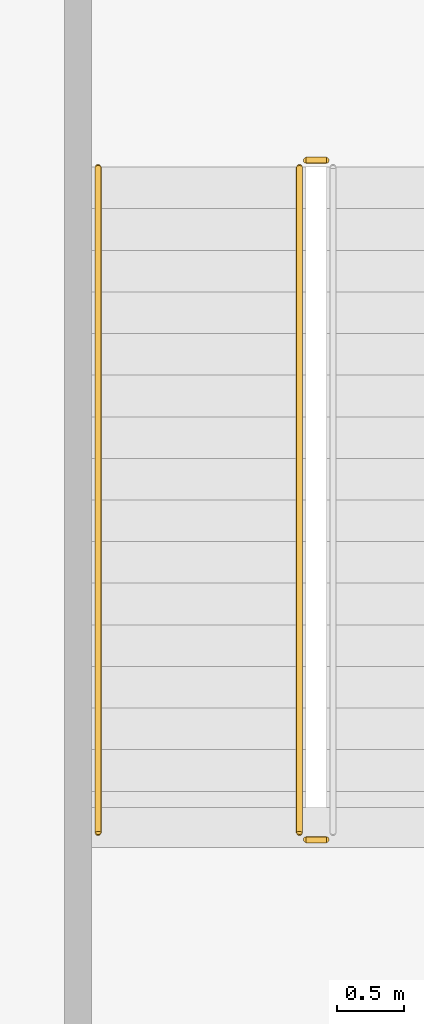
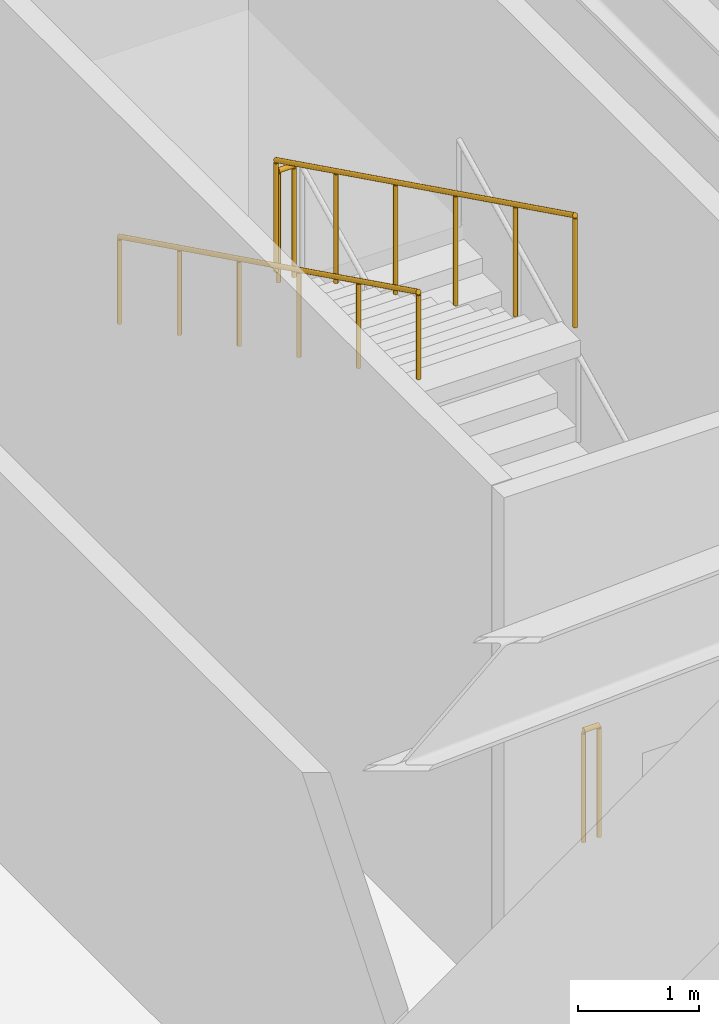
# One storey, part 5 of 9: 4 railings.
"""IFC4 building model written with IfcOpenShell, lengths in metres."""

from ifc_helpers import new_model, si_unit, direction, frame, origin, origin_2d, place, context, subcontext, project, spatial, circle, extrude, material, type_object, element, save


model = new_model("IFC4")

# Units and contexts
model_context = context("Model", 3, precision=1e-05, world=origin(), true_north=direction((0.0, 1.0)))
body_context = subcontext(model_context, "Body", "Model", "MODEL_VIEW")
ifc_project = project(units=[si_unit("LENGTHUNIT", "METRE"), si_unit("AREAUNIT", "SQUARE_METRE"), si_unit("VOLUMEUNIT", "CUBIC_METRE"), si_unit("PLANEANGLEUNIT", "RADIAN"), si_unit("MASSUNIT", "GRAM", prefix="KILO")], contexts=[model_context])

# Site, building, storey
site_placement = place(None, origin())
site = spatial("IfcSite", under=ifc_project, at=site_placement, CompositionType="ELEMENT")
building_placement = place(site_placement, origin())
building = spatial("IfcBuilding", under=site, at=building_placement, Name="Vaeldorn Concourse Tower", CompositionType="ELEMENT")
storey_placement = place(building_placement, frame((0.0, 0.0, -5.199951171875)))
storey = spatial("IfcBuildingStorey", under=building, at=storey_placement, Name="B01", CompositionType="ELEMENT", Elevation=-5.199951171875)

# Railings
ifc_material = material(Name="Anodised Bronze Aluminium", Category="aluminium")
railing_type_1 = type_object("IfcRailingType", Name="RL-STAIR-GUARD", PredefinedType="GUARDRAIL", material=ifc_material)
railing_1_placement = place(storey_placement, frame((64.0, 9.860107421875, 2.599853515625)))
element("IfcRailing", 1, at=railing_1_placement, inside=storey, type_object=railing_type_1, Name="B01 ST-5 stair guard 2", PredefinedType="GUARDRAIL", context=body_context, shape_type="SweptSolid", body=[
    extrude(circle(Radius=0.02392578125, at=origin_2d()), frame((0.0, 0.0, 1.1259765625), z_axis=(-1.0, 0.0, 0.0), x_axis=(0.0, -1.0, 0.0)), (0.0, 0.0, 1.0), 0.14990234375),
    extrude(circle(Radius=0.02099609375, at=origin_2d()), origin(), (0.0, 0.0, 1.0), 1.101806640625),
    extrude(circle(Radius=0.02099609375, at=origin_2d()), frame((-0.14990234375, 0.0, 0.0)), (0.0, 0.0, 1.0), 1.101806640625),
])
railing_2_placement = place(storey_placement, frame((63.800048828125, 9.81005859375, 2.7529296875)))
element("IfcRailing", 2, at=railing_2_placement, inside=storey, type_object=railing_type_1, Name="B01 ST-5 stair guard 3", PredefinedType="GUARDRAIL", context=body_context, shape_type="SweptSolid", body=[
    extrude(circle(Radius=0.02392578125, at=origin_2d()), frame((0.0, 0.0, 1.1259765625), z_axis=(0.0, -0.896798178328, 0.442439857323), x_axis=(1.0, 0.0, 0.0)), (0.0, 0.0, 1.0), 5.53076171875),
    extrude(circle(Radius=0.02099609375, at=origin_2d()), origin(), (0.0, 0.0, 1.0), 1.101806640625),
    extrude(circle(Radius=0.02099609375, at=origin_2d()), frame((0.0, -0.991943359375, 0.489501953125)), (0.0, 0.0, 1.0), 1.101806640625),
    extrude(circle(Radius=0.02099609375, at=origin_2d()), frame((0.0, -1.98388671875, 0.978759765625)), (0.0, 0.0, 1.0), 1.101806640625),
    extrude(circle(Radius=0.02099609375, at=origin_2d()), frame((0.0, -2.97607421875, 1.46826171875)), (0.0, 0.0, 1.0), 1.101806640625),
    extrude(circle(Radius=0.02099609375, at=origin_2d()), frame((0.0, -3.968017578125, 1.95751953125)), (0.0, 0.0, 1.0), 1.101806640625),
    extrude(circle(Radius=0.02099609375, at=origin_2d()), frame((0.0, -4.9599609375, 2.447021484375)), (0.0, 0.0, 1.0), 1.101806640625),
])
railing_3_placement = place(storey_placement, frame((64.0, 4.800048828125, 0.0)))
element("IfcRailing", 3, at=railing_3_placement, inside=storey, type_object=railing_type_1, Name="B01 ST-5 stair guard 4", PredefinedType="GUARDRAIL", context=body_context, shape_type="SweptSolid", body=[
    extrude(circle(Radius=0.02392578125, at=origin_2d()), frame((0.0, 0.0, 1.1259765625), z_axis=(-1.0, 0.0, 0.0), x_axis=(0.0, -1.0, 0.0)), (0.0, 0.0, 1.0), 0.14990234375),
    extrude(circle(Radius=0.02099609375, at=origin_2d()), origin(), (0.0, 0.0, 1.0), 1.101806640625),
    extrude(circle(Radius=0.02099609375, at=origin_2d()), frame((-0.14990234375, 0.0, 0.0)), (0.0, 0.0, 1.0), 1.101806640625),
])
railing_type_2 = type_object("IfcRailingType", Name="RL-STAIR-HANDRAIL", PredefinedType="HANDRAIL", material=ifc_material)
railing_4_placement = place(storey_placement, frame((62.300048828125, 9.81005859375, 2.7529296875)))
element("IfcRailing", 4, at=railing_4_placement, inside=storey, type_object=railing_type_2, Name="B01 ST-5 stair handrail 2", PredefinedType="HANDRAIL", context=body_context, shape_type="SweptSolid", body=[
    extrude(circle(Radius=0.02392578125, at=origin_2d()), frame((0.0, 0.0, 0.8759765625), z_axis=(0.0, -0.896798178328, 0.442439857323), x_axis=(1.0, 0.0, 0.0)), (0.0, 0.0, 1.0), 5.53076171875),
    extrude(circle(Radius=0.02099609375, at=origin_2d()), origin(), (0.0, 0.0, 1.0), 0.851806640625),
    extrude(circle(Radius=0.02099609375, at=origin_2d()), frame((0.0, -0.991943359375, 0.489501953125)), (0.0, 0.0, 1.0), 0.851806640625),
    extrude(circle(Radius=0.02099609375, at=origin_2d()), frame((0.0, -1.98388671875, 0.978759765625)), (0.0, 0.0, 1.0), 0.851806640625),
    extrude(circle(Radius=0.02099609375, at=origin_2d()), frame((0.0, -2.97607421875, 1.46826171875)), (0.0, 0.0, 1.0), 0.851806640625),
    extrude(circle(Radius=0.02099609375, at=origin_2d()), frame((0.0, -3.968017578125, 1.95751953125)), (0.0, 0.0, 1.0), 0.851806640625),
    extrude(circle(Radius=0.02099609375, at=origin_2d()), frame((0.0, -4.9599609375, 2.447021484375)), (0.0, 0.0, 1.0), 0.851806640625),
])

save(model, "model.ifc")
